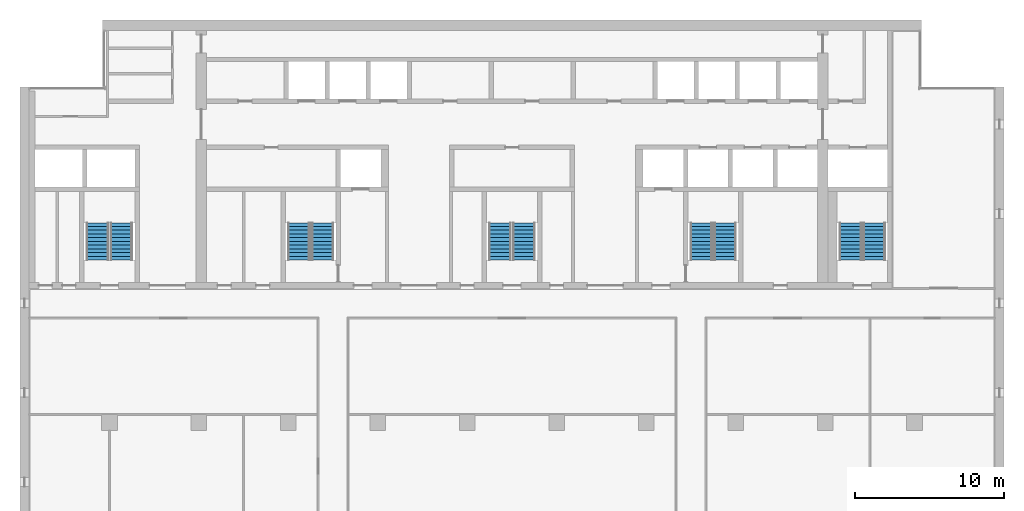
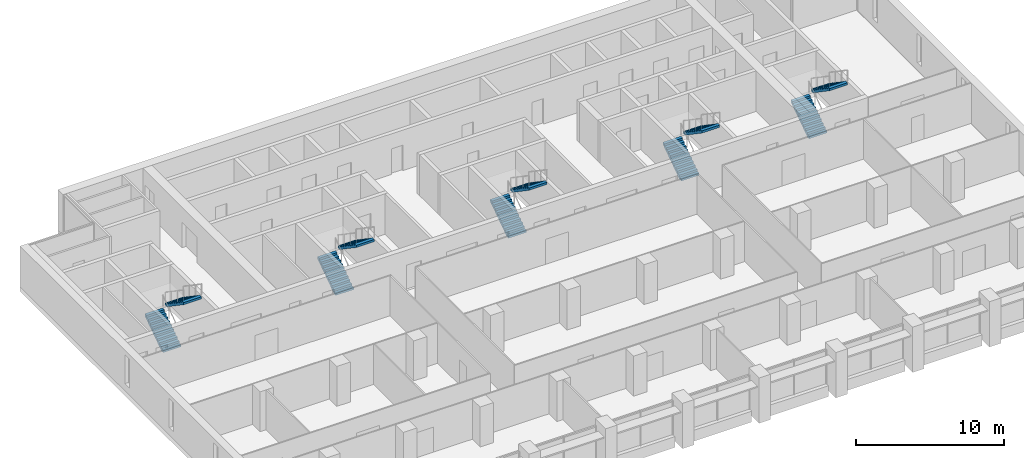
# One storey, part 13 of 17: 10 stair flights, 5 elements without a shape of their own.
"""IFC4 building model written with IfcOpenShell, lengths in metres."""

from ifc_helpers import new_model, si_unit, direction, frame, origin, place, context, subcontext, project, spatial, polyline, outline, extrude, material, type_object, element, aggregate, save


model = new_model("IFC4")

# Units and contexts
model_context = context("Model", 3, precision=1e-05, world=origin(), true_north=direction((0.0, 1.0)))
body_context = subcontext(model_context, "Body", "Model", "MODEL_VIEW")
ifc_project = project(units=[si_unit("LENGTHUNIT", "METRE"), si_unit("AREAUNIT", "SQUARE_METRE"), si_unit("VOLUMEUNIT", "CUBIC_METRE"), si_unit("PLANEANGLEUNIT", "RADIAN"), si_unit("MASSUNIT", "GRAM", prefix="KILO")], contexts=[model_context])

# Site, building, storey
site_placement = place(None, origin())
site = spatial("IfcSite", under=ifc_project, at=site_placement, CompositionType="ELEMENT")
building_placement = place(site_placement, origin())
building = spatial("IfcBuilding", under=site, at=building_placement, Name="Calvaro Tower", CompositionType="ELEMENT")
storey_placement = place(building_placement, frame((0.0, 0.0, 208.0)))
storey = spatial("IfcBuildingStorey", under=building, at=storey_placement, Name="L52", CompositionType="ELEMENT", Elevation=208.0)

# Stair, stair flights
ifc_material_1 = material(Name="Concrete C40/50", Category="concrete")
stair_type = type_object("IfcStairType", Name="Exit stair 1400 2 flights", PredefinedType="HALF_TURN_STAIR", material=ifc_material_1)
stair_1_placement = place(storey_placement, origin())
stair_1 = element("IfcStair", 1, at=stair_1_placement, inside=storey, type_object=stair_type, Name="Exit stair S1", PredefinedType="HALF_TURN_STAIR")
ifc_material_2 = material(Name="Concrete C40/50", Category="concrete")
stair_flight_type = type_object("IfcStairFlightType", Name="Stair flight", PredefinedType="STRAIGHT", material=ifc_material_2)
stair_flight_1_placement = place(storey_placement, frame((11.199951171875, 29.89990234375, 0.0), z_axis=(0.0, 0.0, 1.0), x_axis=(0.0, 1.0, 0.0)))
stair_flight_1 = element("IfcStairFlight", 2, at=stair_flight_1_placement, type_object=stair_flight_type, Name="Exit stair 1, flight 1", NumberOfRisers=11, NumberOfTreads=10, PredefinedType="STRAIGHT", RiserHeight=0.170454545, TreadLength=0.25, context=body_context, shape_type="SweptSolid", body=[
    extrude(outline(polyline([(0.0, 0.0), (0.0, 0.17041015625), (0.25, 0.17041015625), (0.25, 0.3408203125), (0.5, 0.3408203125), (0.5, 0.511474609375), (0.75, 0.511474609375), (0.75, 0.681884765625), (1.0, 0.681884765625), (1.0, 0.852294921875), (1.25, 0.852294921875), (1.25, 1.022705078125), (1.5, 1.022705078125), (1.5, 1.193115234375), (1.75, 1.193115234375), (1.75, 1.363525390625), (2.0, 1.363525390625), (2.0, 1.5341796875), (2.25, 1.5341796875), (2.25, 1.70458984375), (2.5, 1.70458984375), (2.5, 1.875), (2.5, 1.523193359375), (0.26611328125, 0.0), (0.0, 0.0)])), frame((0.0, 0.699951171875, 0.0), z_axis=(0.0, -1.0, 0.0), x_axis=(1.0, 0.0, 0.0)), (0.0, 0.0, 1.0), 1.39990234375),
])
stair_flight_2_placement = place(storey_placement, frame((12.800048828125, 32.39990234375, 1.875), z_axis=(0.0, 0.0, 1.0), x_axis=(0.0, -1.0, 0.0)))
stair_flight_2 = element("IfcStairFlight", 3, at=stair_flight_2_placement, type_object=stair_flight_type, Name="Exit stair 1, flight 2", NumberOfRisers=11, NumberOfTreads=10, PredefinedType="STRAIGHT", RiserHeight=0.170454545, TreadLength=0.25, context=body_context, shape_type="SweptSolid", body=[
    extrude(outline(polyline([(0.0, 0.0), (0.0, 0.17041015625), (0.25, 0.17041015625), (0.25, 0.3408203125), (0.5, 0.3408203125), (0.5, 0.511474609375), (0.75, 0.511474609375), (0.75, 0.681884765625), (1.0, 0.681884765625), (1.0, 0.852294921875), (1.25, 0.852294921875), (1.25, 1.022705078125), (1.5, 1.022705078125), (1.5, 1.193115234375), (1.75, 1.193115234375), (1.75, 1.363525390625), (2.0, 1.363525390625), (2.0, 1.5341796875), (2.25, 1.5341796875), (2.25, 1.70458984375), (2.5, 1.70458984375), (2.5, 1.875), (2.5, 1.523193359375), (0.26611328125, 0.0), (0.0, 0.0)])), frame((0.0, 0.699951171875, 0.0), z_axis=(0.0, -1.0, 0.0), x_axis=(1.0, 0.0, 0.0)), (0.0, 0.0, 1.0), 1.39990234375),
])
aggregate(stair_1, [stair_flight_1, stair_flight_2])

stair_2_placement = place(storey_placement, origin())
stair_2 = element("IfcStair", 4, at=stair_2_placement, inside=storey, type_object=stair_type, Name="Exit stair S2", PredefinedType="HALF_TURN_STAIR")
stair_flight_3_placement = place(storey_placement, frame((24.699951171875, 29.89990234375, 0.0), z_axis=(0.0, 0.0, 1.0), x_axis=(0.0, 1.0, 0.0)))
stair_flight_3 = element("IfcStairFlight", 5, at=stair_flight_3_placement, type_object=stair_flight_type, Name="Exit stair 2, flight 1", NumberOfRisers=11, NumberOfTreads=10, PredefinedType="STRAIGHT", RiserHeight=0.170454545, TreadLength=0.25, context=body_context, shape_type="SweptSolid", body=[
    extrude(outline(polyline([(0.0, 0.0), (0.0, 0.17041015625), (0.25, 0.17041015625), (0.25, 0.3408203125), (0.5, 0.3408203125), (0.5, 0.511474609375), (0.75, 0.511474609375), (0.75, 0.681884765625), (1.0, 0.681884765625), (1.0, 0.852294921875), (1.25, 0.852294921875), (1.25, 1.022705078125), (1.5, 1.022705078125), (1.5, 1.193115234375), (1.75, 1.193115234375), (1.75, 1.363525390625), (2.0, 1.363525390625), (2.0, 1.5341796875), (2.25, 1.5341796875), (2.25, 1.70458984375), (2.5, 1.70458984375), (2.5, 1.875), (2.5, 1.523193359375), (0.26611328125, 0.0), (0.0, 0.0)])), frame((0.0, 0.699951171875, 0.0), z_axis=(0.0, -1.0, 0.0), x_axis=(1.0, 0.0, 0.0)), (0.0, 0.0, 1.0), 1.39990234375),
])
stair_flight_4_placement = place(storey_placement, frame((26.300048828125, 32.39990234375, 1.875), z_axis=(0.0, 0.0, 1.0), x_axis=(0.0, -1.0, 0.0)))
stair_flight_4 = element("IfcStairFlight", 6, at=stair_flight_4_placement, type_object=stair_flight_type, Name="Exit stair 2, flight 2", NumberOfRisers=11, NumberOfTreads=10, PredefinedType="STRAIGHT", RiserHeight=0.170454545, TreadLength=0.25, context=body_context, shape_type="SweptSolid", body=[
    extrude(outline(polyline([(0.0, 0.0), (0.0, 0.17041015625), (0.25, 0.17041015625), (0.25, 0.3408203125), (0.5, 0.3408203125), (0.5, 0.511474609375), (0.75, 0.511474609375), (0.75, 0.681884765625), (1.0, 0.681884765625), (1.0, 0.852294921875), (1.25, 0.852294921875), (1.25, 1.022705078125), (1.5, 1.022705078125), (1.5, 1.193115234375), (1.75, 1.193115234375), (1.75, 1.363525390625), (2.0, 1.363525390625), (2.0, 1.5341796875), (2.25, 1.5341796875), (2.25, 1.70458984375), (2.5, 1.70458984375), (2.5, 1.875), (2.5, 1.523193359375), (0.26611328125, 0.0), (0.0, 0.0)])), frame((0.0, 0.699951171875, 0.0), z_axis=(0.0, -1.0, 0.0), x_axis=(1.0, 0.0, 0.0)), (0.0, 0.0, 1.0), 1.39990234375),
])
aggregate(stair_2, [stair_flight_3, stair_flight_4])

stair_3_placement = place(storey_placement, origin())
stair_3 = element("IfcStair", 7, at=stair_3_placement, inside=storey, type_object=stair_type, Name="Exit stair S3", PredefinedType="HALF_TURN_STAIR")
stair_flight_5_placement = place(storey_placement, frame((38.199951171875, 29.89990234375, 0.0), z_axis=(0.0, 0.0, 1.0), x_axis=(0.0, 1.0, 0.0)))
stair_flight_5 = element("IfcStairFlight", 8, at=stair_flight_5_placement, type_object=stair_flight_type, Name="Exit stair 3, flight 1", NumberOfRisers=11, NumberOfTreads=10, PredefinedType="STRAIGHT", RiserHeight=0.170454545, TreadLength=0.25, context=body_context, shape_type="SweptSolid", body=[
    extrude(outline(polyline([(0.0, 0.0), (0.0, 0.17041015625), (0.25, 0.17041015625), (0.25, 0.3408203125), (0.5, 0.3408203125), (0.5, 0.511474609375), (0.75, 0.511474609375), (0.75, 0.681884765625), (1.0, 0.681884765625), (1.0, 0.852294921875), (1.25, 0.852294921875), (1.25, 1.022705078125), (1.5, 1.022705078125), (1.5, 1.193115234375), (1.75, 1.193115234375), (1.75, 1.363525390625), (2.0, 1.363525390625), (2.0, 1.5341796875), (2.25, 1.5341796875), (2.25, 1.70458984375), (2.5, 1.70458984375), (2.5, 1.875), (2.5, 1.523193359375), (0.26611328125, 0.0), (0.0, 0.0)])), frame((0.0, 0.699951171875, 0.0), z_axis=(0.0, -1.0, 0.0), x_axis=(1.0, 0.0, 0.0)), (0.0, 0.0, 1.0), 1.39990234375),
])
stair_flight_6_placement = place(storey_placement, frame((39.800048828125, 32.39990234375, 1.875), z_axis=(0.0, 0.0, 1.0), x_axis=(0.0, -1.0, 0.0)))
stair_flight_6 = element("IfcStairFlight", 9, at=stair_flight_6_placement, type_object=stair_flight_type, Name="Exit stair 3, flight 2", NumberOfRisers=11, NumberOfTreads=10, PredefinedType="STRAIGHT", RiserHeight=0.170454545, TreadLength=0.25, context=body_context, shape_type="SweptSolid", body=[
    extrude(outline(polyline([(0.0, 0.0), (0.0, 0.17041015625), (0.25, 0.17041015625), (0.25, 0.3408203125), (0.5, 0.3408203125), (0.5, 0.511474609375), (0.75, 0.511474609375), (0.75, 0.681884765625), (1.0, 0.681884765625), (1.0, 0.852294921875), (1.25, 0.852294921875), (1.25, 1.022705078125), (1.5, 1.022705078125), (1.5, 1.193115234375), (1.75, 1.193115234375), (1.75, 1.363525390625), (2.0, 1.363525390625), (2.0, 1.5341796875), (2.25, 1.5341796875), (2.25, 1.70458984375), (2.5, 1.70458984375), (2.5, 1.875), (2.5, 1.523193359375), (0.26611328125, 0.0), (0.0, 0.0)])), frame((0.0, 0.699951171875, 0.0), z_axis=(0.0, -1.0, 0.0), x_axis=(1.0, 0.0, 0.0)), (0.0, 0.0, 1.0), 1.39990234375),
])
aggregate(stair_3, [stair_flight_5, stair_flight_6])

stair_4_placement = place(storey_placement, origin())
stair_4 = element("IfcStair", 10, at=stair_4_placement, inside=storey, type_object=stair_type, Name="Exit stair S4", PredefinedType="HALF_TURN_STAIR")
stair_flight_7_placement = place(storey_placement, frame((51.699951171875, 29.89990234375, 0.0), z_axis=(0.0, 0.0, 1.0), x_axis=(0.0, 1.0, 0.0)))
stair_flight_7 = element("IfcStairFlight", 11, at=stair_flight_7_placement, type_object=stair_flight_type, Name="Exit stair 4, flight 1", NumberOfRisers=11, NumberOfTreads=10, PredefinedType="STRAIGHT", RiserHeight=0.170454545, TreadLength=0.25, context=body_context, shape_type="SweptSolid", body=[
    extrude(outline(polyline([(0.0, 0.0), (0.0, 0.17041015625), (0.25, 0.17041015625), (0.25, 0.3408203125), (0.5, 0.3408203125), (0.5, 0.511474609375), (0.75, 0.511474609375), (0.75, 0.681884765625), (1.0, 0.681884765625), (1.0, 0.852294921875), (1.25, 0.852294921875), (1.25, 1.022705078125), (1.5, 1.022705078125), (1.5, 1.193115234375), (1.75, 1.193115234375), (1.75, 1.363525390625), (2.0, 1.363525390625), (2.0, 1.5341796875), (2.25, 1.5341796875), (2.25, 1.70458984375), (2.5, 1.70458984375), (2.5, 1.875), (2.5, 1.523193359375), (0.26611328125, 0.0), (0.0, 0.0)])), frame((0.0, 0.699951171875, 0.0), z_axis=(0.0, -1.0, 0.0), x_axis=(1.0, 0.0, 0.0)), (0.0, 0.0, 1.0), 1.39990234375),
])
stair_flight_8_placement = place(storey_placement, frame((53.300048828125, 32.39990234375, 1.875), z_axis=(0.0, 0.0, 1.0), x_axis=(0.0, -1.0, 0.0)))
stair_flight_8 = element("IfcStairFlight", 12, at=stair_flight_8_placement, type_object=stair_flight_type, Name="Exit stair 4, flight 2", NumberOfRisers=11, NumberOfTreads=10, PredefinedType="STRAIGHT", RiserHeight=0.170454545, TreadLength=0.25, context=body_context, shape_type="SweptSolid", body=[
    extrude(outline(polyline([(0.0, 0.0), (0.0, 0.17041015625), (0.25, 0.17041015625), (0.25, 0.3408203125), (0.5, 0.3408203125), (0.5, 0.511474609375), (0.75, 0.511474609375), (0.75, 0.681884765625), (1.0, 0.681884765625), (1.0, 0.852294921875), (1.25, 0.852294921875), (1.25, 1.022705078125), (1.5, 1.022705078125), (1.5, 1.193115234375), (1.75, 1.193115234375), (1.75, 1.363525390625), (2.0, 1.363525390625), (2.0, 1.5341796875), (2.25, 1.5341796875), (2.25, 1.70458984375), (2.5, 1.70458984375), (2.5, 1.875), (2.5, 1.523193359375), (0.26611328125, 0.0), (0.0, 0.0)])), frame((0.0, 0.699951171875, 0.0), z_axis=(0.0, -1.0, 0.0), x_axis=(1.0, 0.0, 0.0)), (0.0, 0.0, 1.0), 1.39990234375),
])
aggregate(stair_4, [stair_flight_7, stair_flight_8])

stair_5_placement = place(storey_placement, origin())
stair_5 = element("IfcStair", 13, at=stair_5_placement, inside=storey, type_object=stair_type, Name="Exit stair S5", PredefinedType="HALF_TURN_STAIR")
stair_flight_9_placement = place(storey_placement, frame((61.699951171875, 29.89990234375, 0.0), z_axis=(0.0, 0.0, 1.0), x_axis=(0.0, 1.0, 0.0)))
stair_flight_9 = element("IfcStairFlight", 14, at=stair_flight_9_placement, type_object=stair_flight_type, Name="Exit stair 5, flight 1", NumberOfRisers=11, NumberOfTreads=10, PredefinedType="STRAIGHT", RiserHeight=0.170454545, TreadLength=0.25, context=body_context, shape_type="SweptSolid", body=[
    extrude(outline(polyline([(0.0, 0.0), (0.0, 0.17041015625), (0.25, 0.17041015625), (0.25, 0.3408203125), (0.5, 0.3408203125), (0.5, 0.511474609375), (0.75, 0.511474609375), (0.75, 0.681884765625), (1.0, 0.681884765625), (1.0, 0.852294921875), (1.25, 0.852294921875), (1.25, 1.022705078125), (1.5, 1.022705078125), (1.5, 1.193115234375), (1.75, 1.193115234375), (1.75, 1.363525390625), (2.0, 1.363525390625), (2.0, 1.5341796875), (2.25, 1.5341796875), (2.25, 1.70458984375), (2.5, 1.70458984375), (2.5, 1.875), (2.5, 1.523193359375), (0.26611328125, 0.0), (0.0, 0.0)])), frame((0.0, 0.699951171875, 0.0), z_axis=(0.0, -1.0, 0.0), x_axis=(1.0, 0.0, 0.0)), (0.0, 0.0, 1.0), 1.39990234375),
])
stair_flight_10_placement = place(storey_placement, frame((63.300048828125, 32.39990234375, 1.875), z_axis=(0.0, 0.0, 1.0), x_axis=(0.0, -1.0, 0.0)))
stair_flight_10 = element("IfcStairFlight", 15, at=stair_flight_10_placement, type_object=stair_flight_type, Name="Exit stair 5, flight 2", NumberOfRisers=11, NumberOfTreads=10, PredefinedType="STRAIGHT", RiserHeight=0.170454545, TreadLength=0.25, context=body_context, shape_type="SweptSolid", body=[
    extrude(outline(polyline([(0.0, 0.0), (0.0, 0.17041015625), (0.25, 0.17041015625), (0.25, 0.3408203125), (0.5, 0.3408203125), (0.5, 0.511474609375), (0.75, 0.511474609375), (0.75, 0.681884765625), (1.0, 0.681884765625), (1.0, 0.852294921875), (1.25, 0.852294921875), (1.25, 1.022705078125), (1.5, 1.022705078125), (1.5, 1.193115234375), (1.75, 1.193115234375), (1.75, 1.363525390625), (2.0, 1.363525390625), (2.0, 1.5341796875), (2.25, 1.5341796875), (2.25, 1.70458984375), (2.5, 1.70458984375), (2.5, 1.875), (2.5, 1.523193359375), (0.26611328125, 0.0), (0.0, 0.0)])), frame((0.0, 0.699951171875, 0.0), z_axis=(0.0, -1.0, 0.0), x_axis=(1.0, 0.0, 0.0)), (0.0, 0.0, 1.0), 1.39990234375),
])
aggregate(stair_5, [stair_flight_9, stair_flight_10])

save(model, "model.ifc")
